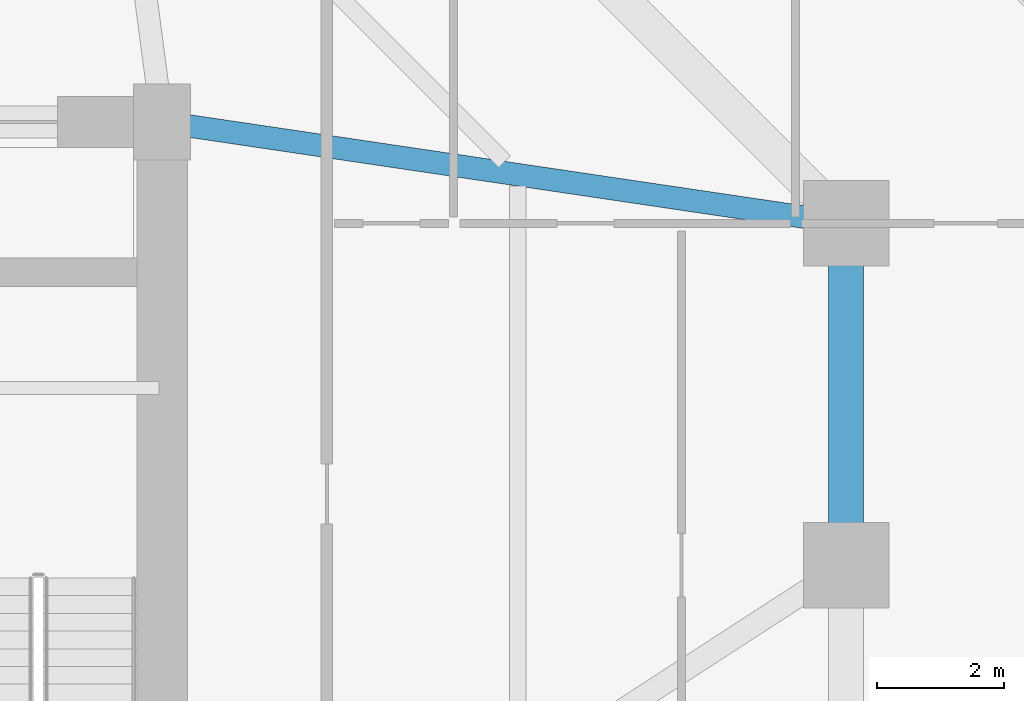
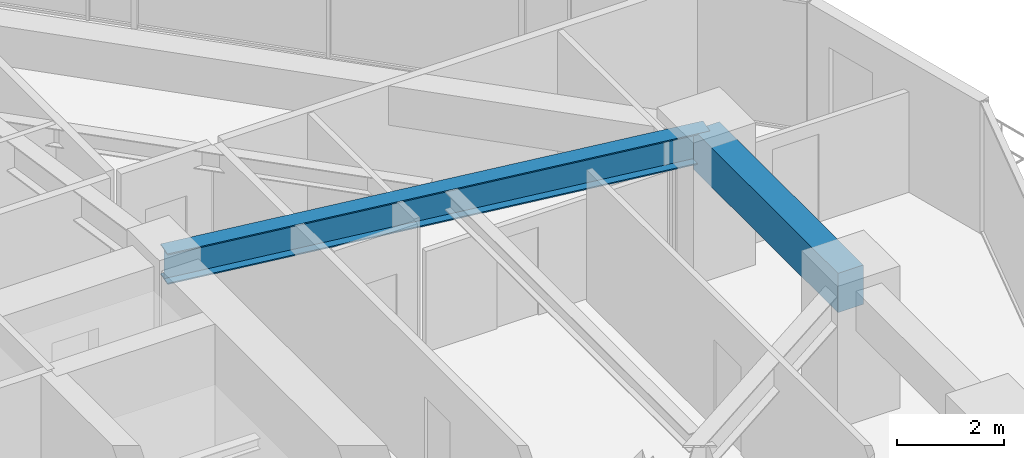
# One storey, part 20 of 39: 2 beams.
"""IFC4 building model written with IfcOpenShell, lengths in metres."""

import ifcopenshell
import ifcopenshell.guid

model = None  # the IFC model being written
_history = None  # IfcOwnerHistory: only IFC2X3 demands one
_inside = {}  # id of a spatial element -> (the spatial element, [elements in it])
_under = {}  # id of a project, library or spatial element -> (it, [spatial elements below it])
_declared = {}  # id of a project -> (the project, [libraries it declares])
_typed = {}  # id of a type object -> (the type object, [elements of that type])
_made_of = {}  # id of a material, layer set ... -> (it, [elements and type objects made of it])


def new_model(schema):
    """Start an empty IFC model of exactly this schema.

    Asked for "IFC4X3", IfcOpenShell would pick the latest addendum, in which some entities
    have other attributes; the version numbers below select the first issue.
    IFC2X3 requires an IfcOwnerHistory on every rooted entity: one is made here for all.
    """
    global model, _history
    if schema == "IFC4X3":
        model = ifcopenshell.file(schema_version=(4, 3, 0, 0))
    else:
        model = ifcopenshell.file(schema=schema)
    _inside.clear()
    _under.clear()
    _declared.clear()
    _typed.clear()
    _made_of.clear()
    _history = None
    if model.schema == "IFC2X3":
        org = make("IfcOrganization", Name="unknown")
        user = make(
            "IfcPersonAndOrganization",
            ThePerson=make("IfcPerson", FamilyName="unknown"),
            TheOrganization=org,
        )
        app = make(
            "IfcApplication",
            ApplicationDeveloper=org,
            Version="unknown",
            ApplicationFullName="unknown",
            ApplicationIdentifier="unknown",
        )
        _history = make(
            "IfcOwnerHistory",
            OwningUser=user,
            OwningApplication=app,
            ChangeAction="ADDED",
            CreationDate=0,
        )
    return model


def make(cls, **values):
    """One entity of the class cls with the attributes given. An attribute that is None is left unset."""
    return model.create_entity(
        cls, **{name: value for name, value in values.items() if value is not None}
    )


def rooted(cls, **values):
    """An entity with a GlobalId (a new one), such as an element, a storey or a relation."""
    return make(cls, GlobalId=ifcopenshell.guid.new(), OwnerHistory=_history, **values)


def si_unit(unit_type, name, prefix=None):
    """IfcSIUnit, for example si_unit("LENGTHUNIT", "METRE", prefix="MILLI")."""
    return make("IfcSIUnit", UnitType=unit_type, Prefix=prefix, Name=name)


def assignment(units):
    """IfcUnitAssignment: the units of a project."""
    return None if units is None else make("IfcUnitAssignment", Units=units)


def point(xyz):
    """IfcCartesianPoint."""
    return None if xyz is None else make("IfcCartesianPoint", Coordinates=xyz)


def direction(xyz):
    """IfcDirection."""
    return None if xyz is None else make("IfcDirection", DirectionRatios=xyz)


def frame(location, z_axis=None, x_axis=None):
    """IfcAxis2Placement3D, a coordinate frame: its origin and axes. An axis left out is left unset."""
    return make(
        "IfcAxis2Placement3D",
        Location=point(location),
        Axis=direction(z_axis),
        RefDirection=direction(x_axis),
    )


def frame_2d(location, x_axis=None):
    """IfcAxis2Placement2D, a coordinate frame in the plane: its origin and x axis."""
    return make(
        "IfcAxis2Placement2D", Location=point(location), RefDirection=direction(x_axis)
    )


def origin():
    """The frame at (0, 0, 0) with its axes left unset."""
    return frame((0.0, 0.0, 0.0))


def origin_2d():
    """The frame at (0, 0) in the plane with its x axis left unset."""
    return frame_2d((0.0, 0.0))


def place(relative_to, where):
    """IfcLocalPlacement: puts the frame where relative to a parent placement (None: the world)."""
    return make(
        "IfcLocalPlacement", PlacementRelTo=relative_to, RelativePlacement=where
    )


def context(
    kind, dimensions, precision=None, world=None, true_north=None, identifier=None
):
    """IfcGeometricRepresentationContext, for example the 3D "Model" context."""
    return make(
        "IfcGeometricRepresentationContext",
        ContextIdentifier=identifier,
        ContextType=kind,
        CoordinateSpaceDimension=dimensions,
        Precision=precision,
        WorldCoordinateSystem=world,
        TrueNorth=true_north,
    )


def subcontext(parent, identifier, kind, view, scale=None):
    """IfcGeometricRepresentationSubContext, for example "Body" below "Model"."""
    return make(
        "IfcGeometricRepresentationSubContext",
        ContextIdentifier=identifier,
        ContextType=kind,
        ParentContext=parent,
        TargetScale=scale,
        TargetView=view,
    )


def project(units=None, contexts=None):
    """IfcProject with its units and contexts."""
    return rooted(
        "IfcProject",
        Name="project",
        RepresentationContexts=contexts,
        UnitsInContext=assignment(units),
    )


def spatial(cls, under=None, at=None, **own):
    """A site, building, storey or space (cls), placed at a placement, below another one or the project."""
    s = rooted(cls, ObjectPlacement=at, **own)
    if under is not None:
        _under.setdefault(under.id(), (under, []))[1].append(s)
    return s


def profile(cls, at=None, kind="AREA", **sizes):
    """A parametric profile (cls). Its sizes go by their IFC names, for example OverallWidth=200.0."""
    return make(cls, ProfileType=kind, Position=at, **sizes)


def rectangle(**sizes):
    """IfcRectangleProfileDef."""
    return profile("IfcRectangleProfileDef", **sizes)


def i_section(**sizes):
    """IfcIShapeProfileDef."""
    return profile("IfcIShapeProfileDef", **sizes)


def extrude(swept, where, along, depth):
    """IfcExtrudedAreaSolid: the profile swept, set in the frame where, extruded along a direction by depth."""
    return make(
        "IfcExtrudedAreaSolid",
        SweptArea=swept,
        Position=where,
        ExtrudedDirection=direction(along),
        Depth=depth,
    )


def shape(context_of_items, identifier, shape_type, items):
    """IfcShapeRepresentation: the items that make up one representation, for example the "Body"."""
    return make(
        "IfcShapeRepresentation",
        ContextOfItems=context_of_items,
        RepresentationIdentifier=identifier,
        RepresentationType=shape_type,
        Items=items,
    )


def material(Name=None, Category=None):
    """IfcMaterial."""
    return make("IfcMaterial", Name=Name, Category=Category)


def material_profile(
    of_material, cross_section, Name=None, Category=None, Priority=None
):
    """IfcMaterialProfile: a cross section and its material."""
    return make(
        "IfcMaterialProfile",
        Name=Name,
        Material=of_material,
        Profile=cross_section,
        Priority=Priority,
        Category=Category,
    )


def profile_set(profiles, Name=None, composite=None):
    """IfcMaterialProfileSet."""
    return make(
        "IfcMaterialProfileSet",
        Name=Name,
        MaterialProfiles=profiles,
        CompositeProfile=composite,
    )


def made_of(thing, what):
    """Note that an element or type object is made of a material, layer set ...; save() writes the relation."""
    if what is not None:
        _made_of.setdefault(what.id(), (what, []))[1].append(thing)
    return thing


def type_object(cls, material=None, **own):
    """A type object (cls), such as IfcWallType, which elements share."""
    return made_of(rooted(cls, **own), material)


def element(
    cls,
    number,
    at=None,
    inside=None,
    cuts=None,
    type_object=None,
    material=None,
    context=None,
    identifier="Body",
    shape_type=None,
    held_by="IfcProductDefinitionShape",
    body=None,
    shapes=None,
    **own,
):
    """One element of the class cls, such as IfcWall. Its Tag is "e" and its number.

    at: its placement. inside: the storey or other place that contains it. cuts: it is an
    opening in that element (IfcRelVoidsElement). A single representation is given by context,
    identifier, shape_type and body (its items); several are given by shapes. held_by: the class
    of the entity that holds the representations. save() writes the other relations.
    """
    e = rooted(cls, Tag="e%d" % number, ObjectPlacement=at, **own)
    if body is not None:
        shapes = [shape(context, identifier, shape_type, body)]
    if shapes is not None:
        e.Representation = make(held_by, Representations=shapes)
    if inside is not None:
        _inside.setdefault(inside.id(), (inside, []))[1].append(e)
    if cuts is not None:
        rooted(
            "IfcRelVoidsElement", RelatingBuildingElement=cuts, RelatedOpeningElement=e
        )
    if type_object is not None:
        _typed.setdefault(type_object.id(), (type_object, []))[1].append(e)
    return made_of(e, material)


def aggregate(whole, parts):
    """IfcRelAggregates: a whole, such as a stair, and the parts it consists of."""
    return rooted("IfcRelAggregates", RelatingObject=whole, RelatedObjects=parts)


def save(model, path):
    """Write the relations noted so far, then the file.

    IfcRelAggregates (storeys below a building ...), IfcRelContainedInSpatialStructure (elements
    in a storey), IfcRelDefinesByType, IfcRelAssociatesMaterial and IfcRelDeclares: one each for
    every whole, place, type object, material and project.
    """
    for whole, parts in _under.values():
        aggregate(whole, parts)
    for where, things in _inside.values():
        rooted(
            "IfcRelContainedInSpatialStructure",
            RelatedElements=things,
            RelatingStructure=where,
        )
    for kind, things in _typed.values():
        rooted("IfcRelDefinesByType", RelatedObjects=things, RelatingType=kind)
    for what, things in _made_of.values():
        rooted("IfcRelAssociatesMaterial", RelatedObjects=things, RelatingMaterial=what)
    for by, libraries in _declared.values():
        rooted("IfcRelDeclares", RelatingContext=by, RelatedDefinitions=libraries)
    model.write(path)


model = new_model("IFC4")

# Units and contexts
model_context = context("Model", 3, precision=1e-05, world=origin(), true_north=direction((0.0, 1.0)))
body_context = subcontext(model_context, "Body", "Model", "MODEL_VIEW")
ifc_project = project(units=[si_unit("LENGTHUNIT", "METRE"), si_unit("AREAUNIT", "SQUARE_METRE"), si_unit("VOLUMEUNIT", "CUBIC_METRE"), si_unit("PLANEANGLEUNIT", "RADIAN"), si_unit("MASSUNIT", "GRAM", prefix="KILO")], contexts=[model_context])

# Site, building, storey
site_placement = place(None, origin())
site = spatial("IfcSite", under=ifc_project, at=site_placement, CompositionType="ELEMENT")
building_placement = place(site_placement, origin())
building = spatial("IfcBuilding", under=site, at=building_placement, Name="Veraguas Prism Commons", CompositionType="ELEMENT")
storey_placement = place(building_placement, frame((0.0, 0.0, 73.85009765625)))
storey = spatial("IfcBuildingStorey", under=building, at=storey_placement, Name="L20", CompositionType="ELEMENT", Elevation=73.85009765625)

# Beams
ifc_material_1 = material(Name="Concrete C50/60", Category="concrete")
ifc_material_profile_1 = material_profile(ifc_material_1, rectangle(XDim=0.550048828125, YDim=0.89990234375, at=origin_2d()), Name="RC550X900")
ifc_profile_set_1 = profile_set([ifc_material_profile_1], Name="Concrete C50/60")
beam_type_1 = type_object("IfcBeamType", Name="Perimeter Spandrel Lower RC 550x900", PredefinedType="SPANDREL", material=ifc_profile_set_1)
beam_1_placement = place(storey_placement, frame((41.60009765625, 24.0, 2.5498046875), z_axis=(0.0, 1.0, 0.0), x_axis=(-1.0, 0.0, 0.0)))
element("IfcBeam", 1, at=beam_1_placement, inside=storey, type_object=beam_type_1, Name="Perimeter Spandrel Beam L20-SP02", PredefinedType="SPANDREL", context=body_context, shape_type="SweptSolid", body=[
    extrude(rectangle(XDim=0.550048828125, YDim=0.89990234375, at=origin_2d()), origin(), (0.0, 0.0, 1.0), 5.39990234375),
])
ifc_material_2 = material(Name="Steel ASTM A992 Grade 50", Category="steel")
ifc_material_profile_2 = material_profile(ifc_material_2, i_section(OverallWidth=0.35595703125, OverallDepth=0.700927734375, WebThickness=0.016845703125, FlangeThickness=0.02734375, at=origin_2d()), Name="W690X240")
ifc_profile_set_2 = profile_set([ifc_material_profile_2], Name="Steel ASTM A992 Grade 50")
beam_type_2 = type_object("IfcBeamType", Name="Zone 1 Radial Girder W690x240", PredefinedType="BEAM", material=ifc_profile_set_2)
beam_2_placement = place(storey_placement, frame((41.60009765625, 29.39990234375, 2.6494140625), z_axis=(-0.989202261707, 0.146556765224, 0.0), x_axis=(-0.146556765224, -0.989202261707, 0.0)))
element("IfcBeam", 2, at=beam_2_placement, inside=storey, type_object=beam_type_2, Name="Radial Floor Girder L20-RD03", PredefinedType="BEAM", context=body_context, shape_type="SweptSolid", body=[
    extrude(i_section(OverallWidth=0.35595703125, OverallDepth=0.700927734375, WebThickness=0.016845703125, FlangeThickness=0.02734375, at=origin_2d()), origin(), (0.0, 0.0, 1.0), 10.91796875),
])

save(model, "model.ifc")
